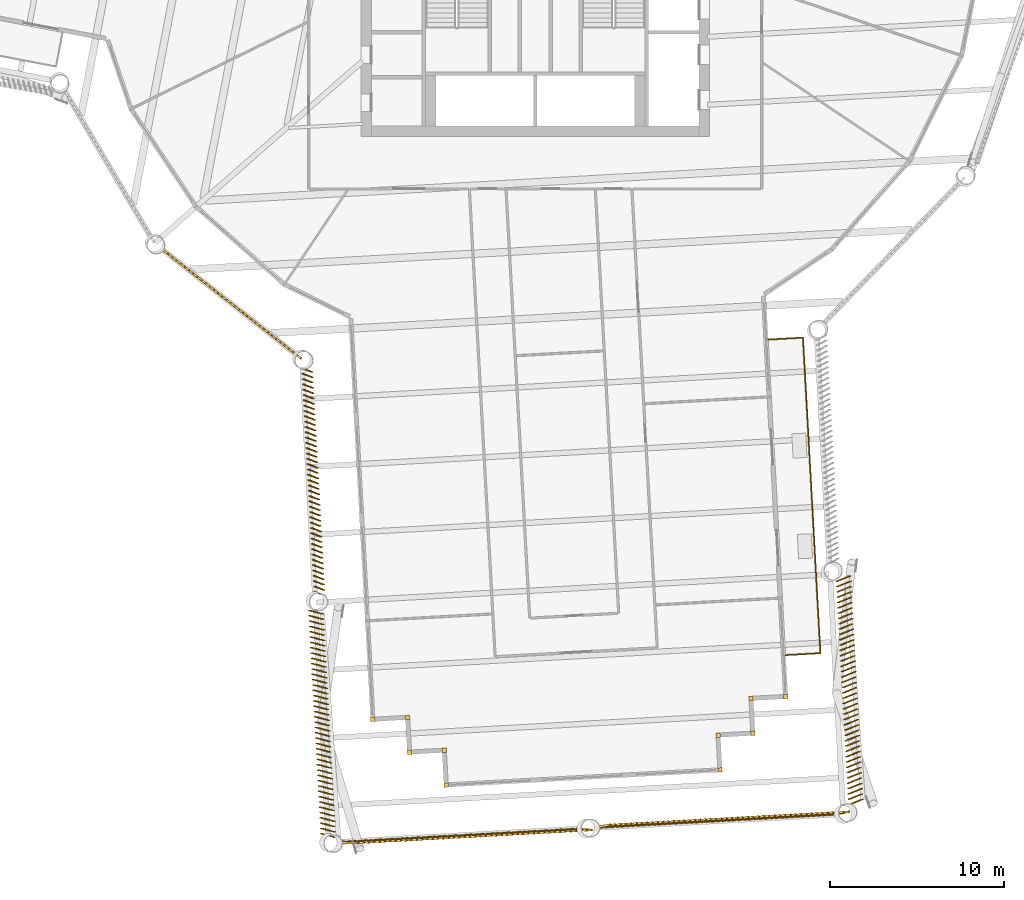
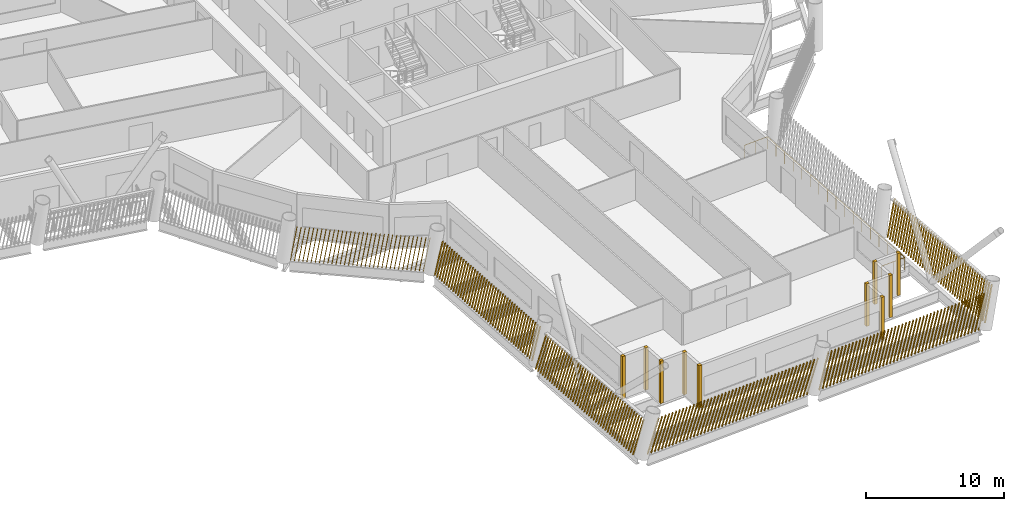
# One storey, part 19 of 23: 16 shading devices, 1 railing.
"""IFC4 building model written with IfcOpenShell, lengths in metres."""

from ifc_helpers import new_model, si_unit, direction, frame, frame_2d, origin, origin_2d, place, context, subcontext, project, spatial, rectangle, circle, composite_profile, extrude, material, type_object, element, save


model = new_model("IFC4")

# Units and contexts
model_context = context("Model", 3, precision=1e-05, world=origin(), true_north=direction((0.0, 1.0)))
body_context = subcontext(model_context, "Body", "Model", "MODEL_VIEW")
ifc_project = project(units=[si_unit("LENGTHUNIT", "METRE"), si_unit("AREAUNIT", "SQUARE_METRE"), si_unit("VOLUMEUNIT", "CUBIC_METRE"), si_unit("PLANEANGLEUNIT", "RADIAN"), si_unit("MASSUNIT", "GRAM", prefix="KILO")], contexts=[model_context])

# Site, building, storey
site_placement = place(None, origin())
site = spatial("IfcSite", under=ifc_project, at=site_placement, CompositionType="ELEMENT")
building_placement = place(site_placement, origin())
building = spatial("IfcBuilding", under=site, at=building_placement, Name="Tarsis Ring Headquarters", CompositionType="ELEMENT")
storey_placement = place(building_placement, frame((0.0, 0.0, 239.39990234375)))
storey = spatial("IfcBuildingStorey", under=building, at=storey_placement, Name="L56", CompositionType="ELEMENT", Elevation=239.39990234375)

# Railing
ifc_material_1 = material(Name="Stainless steel guard", Category="steel")
railing_type = type_object("IfcRailingType", Name="Balcony balustrade with mesh infill 1100", PredefinedType="BALUSTRADE", material=ifc_material_1)
railing_placement = place(storey_placement, frame((14.379638671875, -42.7724609375, 0.0)))
element("IfcRailing", 1, at=railing_placement, inside=storey, type_object=railing_type, Name="Balcony balustrade L56-16", PredefinedType="BALUSTRADE", context=body_context, shape_type="SweptSolid", body=[
    extrude(circle(Radius=0.030029296875, at=origin_2d()), frame((0.0, 0.0, 1.070068359375), z_axis=(0.998476834373, 0.055172558574, 0.0), x_axis=(-0.055172558574, 0.998476834373, 0.0)), (0.0, 0.0, 1.0), 2.0),
    extrude(circle(Radius=0.030029296875, at=origin_2d()), frame((1.9970703125, 0.1103515625, 1.070068359375), z_axis=(-0.055132560118, 0.998479043753, 0.0), x_axis=(-0.998479043753, -0.055132560118, 0.0)), (0.0, 0.0, 1.0), 18.1513671875),
    extrude(circle(Radius=0.030029296875, at=origin_2d()), frame((0.996337890625, 18.234130859375, 1.070068359375), z_axis=(-0.998476462744, -0.055179283673, 0.0), x_axis=(0.055179283673, -0.998476462744, 0.0)), (0.0, 0.0, 1.0), 1.999755859375),
    extrude(circle(Radius=0.02490234375, at=origin_2d()), origin(), (0.0, 0.0, 1.0), 1.0400390625),
    extrude(circle(Radius=0.02490234375, at=origin_2d()), frame((0.99853515625, 0.05517578125, 0.0)), (0.0, 0.0, 1.0), 1.0400390625),
    extrude(circle(Radius=0.02490234375, at=origin_2d()), frame((1.9970703125, 0.1103515625, 0.0)), (0.0, 0.0, 1.0), 1.0400390625),
    extrude(circle(Radius=0.02490234375, at=origin_2d()), frame((1.9345703125, 1.2431640625, 0.0)), (0.0, 0.0, 1.0), 1.0400390625),
    extrude(circle(Radius=0.02490234375, at=origin_2d()), frame((1.8720703125, 2.375732421875, 0.0)), (0.0, 0.0, 1.0), 1.0400390625),
    extrude(circle(Radius=0.02490234375, at=origin_2d()), frame((1.809326171875, 3.508544921875, 0.0)), (0.0, 0.0, 1.0), 1.0400390625),
    extrude(circle(Radius=0.02490234375, at=origin_2d()), frame((1.746826171875, 4.641357421875, 0.0)), (0.0, 0.0, 1.0), 1.0400390625),
    extrude(circle(Radius=0.02490234375, at=origin_2d()), frame((1.684326171875, 5.77392578125, 0.0)), (0.0, 0.0, 1.0), 1.0400390625),
    extrude(circle(Radius=0.02490234375, at=origin_2d()), frame((1.621826171875, 6.90673828125, 0.0)), (0.0, 0.0, 1.0), 1.0400390625),
    extrude(circle(Radius=0.02490234375, at=origin_2d()), frame((1.559326171875, 8.03955078125, 0.0)), (0.0, 0.0, 1.0), 1.0400390625),
    extrude(circle(Radius=0.02490234375, at=origin_2d()), frame((1.49658203125, 9.17236328125, 0.0)), (0.0, 0.0, 1.0), 1.0400390625),
    extrude(circle(Radius=0.02490234375, at=origin_2d()), frame((1.43408203125, 10.304931640625, 0.0)), (0.0, 0.0, 1.0), 1.0400390625),
    extrude(circle(Radius=0.02490234375, at=origin_2d()), frame((1.37158203125, 11.437744140625, 0.0)), (0.0, 0.0, 1.0), 1.0400390625),
    extrude(circle(Radius=0.02490234375, at=origin_2d()), frame((1.30908203125, 12.570556640625, 0.0)), (0.0, 0.0, 1.0), 1.0400390625),
    extrude(circle(Radius=0.02490234375, at=origin_2d()), frame((1.24658203125, 13.703125, 0.0)), (0.0, 0.0, 1.0), 1.0400390625),
    extrude(circle(Radius=0.02490234375, at=origin_2d()), frame((1.18408203125, 14.8359375, 0.0)), (0.0, 0.0, 1.0), 1.0400390625),
    extrude(circle(Radius=0.02490234375, at=origin_2d()), frame((1.121337890625, 15.96875, 0.0)), (0.0, 0.0, 1.0), 1.0400390625),
    extrude(circle(Radius=0.02490234375, at=origin_2d()), frame((1.058837890625, 17.101318359375, 0.0)), (0.0, 0.0, 1.0), 1.0400390625),
    extrude(circle(Radius=0.02490234375, at=origin_2d()), frame((0.996337890625, 18.234130859375, 0.0)), (0.0, 0.0, 1.0), 1.0400390625),
    extrude(circle(Radius=0.02490234375, at=origin_2d()), frame((-0.001953125, 18.178955078125, 0.0)), (0.0, 0.0, 1.0), 1.0400390625),
    extrude(circle(Radius=0.02490234375, at=origin_2d()), frame((-1.00048828125, 18.123779296875, 0.0)), (0.0, 0.0, 1.0), 1.0400390625),
])

# Shading devices
ifc_material_2 = material(Name="Terracotta baguette", Category="masonry")
shading_device_type_1 = type_object("IfcShadingDeviceType", Name="Terracotta baguette screen", PredefinedType="USERDEFINED", material=ifc_material_2)
shading_device_1_placement = place(storey_placement, frame((-21.476806640625, -19.427490234375, 0.0), z_axis=(0.0, 0.0, 1.0), x_axis=(0.786358525921, -0.617788881949, 0.0)))
element("IfcShadingDevice", 2, at=shading_device_1_placement, inside=storey, type_object=shading_device_type_1, Name="Baguette screen L56-00", ObjectType="Terracotta baguette screen", PredefinedType="USERDEFINED", context=body_context, shape_type="SweptSolid", body=[
    extrude(composite_profile([rectangle(XDim=0.06005859375, YDim=0.1201171875, at=frame_2d((0.030029296875, 0.0))), rectangle(XDim=0.06005859375, YDim=0.1201171875, at=frame_2d((0.33349609375, 0.0))), rectangle(XDim=0.06005859375, YDim=0.1201171875, at=frame_2d((0.636962890625, 0.0))), rectangle(XDim=0.06005859375, YDim=0.1201171875, at=frame_2d((0.9404296875, 0.0))), rectangle(XDim=0.06005859375, YDim=0.1201171875, at=frame_2d((1.243896484375, 0.0))), rectangle(XDim=0.06005859375, YDim=0.1201171875, at=frame_2d((1.54736328125, 0.0))), rectangle(XDim=0.06005859375, YDim=0.1201171875, at=frame_2d((1.85107421875, 0.0))), rectangle(XDim=0.06005859375, YDim=0.1201171875, at=frame_2d((2.154541015625, 0.0))), rectangle(XDim=0.06005859375, YDim=0.1201171875, at=frame_2d((2.4580078125, 0.0))), rectangle(XDim=0.06005859375, YDim=0.1201171875, at=frame_2d((2.761474609375, 0.0))), rectangle(XDim=0.06005859375, YDim=0.1201171875, at=frame_2d((3.06494140625, 0.0))), rectangle(XDim=0.06005859375, YDim=0.1201171875, at=frame_2d((3.368408203125, 0.0))), rectangle(XDim=0.06005859375, YDim=0.1201171875, at=frame_2d((3.671875, 0.0))), rectangle(XDim=0.06005859375, YDim=0.1201171875, at=frame_2d((3.975341796875, 0.0))), rectangle(XDim=0.06005859375, YDim=0.1201171875, at=frame_2d((4.27880859375, 0.0))), rectangle(XDim=0.06005859375, YDim=0.1201171875, at=frame_2d((4.582275390625, 0.0))), rectangle(XDim=0.06005859375, YDim=0.1201171875, at=frame_2d((4.8857421875, 0.0))), rectangle(XDim=0.06005859375, YDim=0.1201171875, at=frame_2d((5.189453125, 0.0))), rectangle(XDim=0.06005859375, YDim=0.1201171875, at=frame_2d((5.492919921875, 0.0))), rectangle(XDim=0.06005859375, YDim=0.1201171875, at=frame_2d((5.79638671875, 0.0))), rectangle(XDim=0.06005859375, YDim=0.1201171875, at=frame_2d((6.099853515625, 0.0))), rectangle(XDim=0.06005859375, YDim=0.1201171875, at=frame_2d((6.4033203125, 0.0))), rectangle(XDim=0.06005859375, YDim=0.1201171875, at=frame_2d((6.706787109375, 0.0))), rectangle(XDim=0.06005859375, YDim=0.1201171875, at=frame_2d((7.01025390625, 0.0))), rectangle(XDim=0.06005859375, YDim=0.1201171875, at=frame_2d((7.313720703125, 0.0))), rectangle(XDim=0.06005859375, YDim=0.1201171875, at=frame_2d((7.6171875, 0.0))), rectangle(XDim=0.06005859375, YDim=0.1201171875, at=frame_2d((7.920654296875, 0.0))), rectangle(XDim=0.06005859375, YDim=0.1201171875, at=frame_2d((8.224365234375, 0.0))), rectangle(XDim=0.06005859375, YDim=0.1201171875, at=frame_2d((8.52783203125, 0.0))), rectangle(XDim=0.06005859375, YDim=0.1201171875, at=frame_2d((8.831298828125, 0.0))), rectangle(XDim=0.06005859375, YDim=0.1201171875, at=frame_2d((9.134765625, 0.0))), rectangle(XDim=0.06005859375, YDim=0.1201171875, at=frame_2d((9.438232421875, 0.0))), rectangle(XDim=0.06005859375, YDim=0.1201171875, at=frame_2d((9.74169921875, 0.0)))]), origin(), (0.160021227806, 0.001338776763, 0.987112665468), 2.98876953125),
])
shading_device_2_placement = place(storey_placement, frame((-13.3720703125, -26.272705078125, 0.0), z_axis=(0.0, 0.0, 1.0), x_axis=(0.055121388158, -0.998486196, 0.0)))
element("IfcShadingDevice", 3, at=shading_device_2_placement, inside=storey, type_object=shading_device_type_1, Name="Baguette screen L56-01", ObjectType="Terracotta baguette screen", PredefinedType="USERDEFINED", context=body_context, shape_type="SweptSolid", body=[
    extrude(composite_profile([rectangle(XDim=0.06005859375, YDim=0.1201171875, at=frame_2d((0.030029296875, 0.0))), rectangle(XDim=0.06005859375, YDim=0.1201171875, at=frame_2d((0.335693359375, 0.0))), rectangle(XDim=0.06005859375, YDim=0.1201171875, at=frame_2d((0.6416015625, 0.0))), rectangle(XDim=0.06005859375, YDim=0.1201171875, at=frame_2d((0.947265625, 0.0))), rectangle(XDim=0.06005859375, YDim=0.1201171875, at=frame_2d((1.253173828125, 0.0))), rectangle(XDim=0.06005859375, YDim=0.1201171875, at=frame_2d((1.558837890625, 0.0))), rectangle(XDim=0.06005859375, YDim=0.1201171875, at=frame_2d((1.864501953125, 0.0))), rectangle(XDim=0.06005859375, YDim=0.1201171875, at=frame_2d((2.17041015625, 0.0))), rectangle(XDim=0.06005859375, YDim=0.1201171875, at=frame_2d((2.47607421875, 0.0))), rectangle(XDim=0.06005859375, YDim=0.1201171875, at=frame_2d((2.781982421875, 0.0))), rectangle(XDim=0.06005859375, YDim=0.1201171875, at=frame_2d((3.087646484375, 0.0))), rectangle(XDim=0.06005859375, YDim=0.1201171875, at=frame_2d((3.393310546875, 0.0))), rectangle(XDim=0.06005859375, YDim=0.1201171875, at=frame_2d((3.69921875, 0.0))), rectangle(XDim=0.06005859375, YDim=0.1201171875, at=frame_2d((4.0048828125, 0.0))), rectangle(XDim=0.06005859375, YDim=0.1201171875, at=frame_2d((4.310791015625, 0.0))), rectangle(XDim=0.06005859375, YDim=0.1201171875, at=frame_2d((4.616455078125, 0.0))), rectangle(XDim=0.06005859375, YDim=0.1201171875, at=frame_2d((4.922119140625, 0.0))), rectangle(XDim=0.06005859375, YDim=0.1201171875, at=frame_2d((5.22802734375, 0.0))), rectangle(XDim=0.06005859375, YDim=0.1201171875, at=frame_2d((5.53369140625, 0.0))), rectangle(XDim=0.06005859375, YDim=0.1201171875, at=frame_2d((5.839599609375, 0.0))), rectangle(XDim=0.06005859375, YDim=0.1201171875, at=frame_2d((6.145263671875, 0.0))), rectangle(XDim=0.06005859375, YDim=0.1201171875, at=frame_2d((6.451171875, 0.0))), rectangle(XDim=0.06005859375, YDim=0.1201171875, at=frame_2d((6.7568359375, 0.0))), rectangle(XDim=0.06005859375, YDim=0.1201171875, at=frame_2d((7.0625, 0.0))), rectangle(XDim=0.06005859375, YDim=0.1201171875, at=frame_2d((7.368408203125, 0.0))), rectangle(XDim=0.06005859375, YDim=0.1201171875, at=frame_2d((7.674072265625, 0.0))), rectangle(XDim=0.06005859375, YDim=0.1201171875, at=frame_2d((7.97998046875, 0.0))), rectangle(XDim=0.06005859375, YDim=0.1201171875, at=frame_2d((8.28564453125, 0.0))), rectangle(XDim=0.06005859375, YDim=0.1201171875, at=frame_2d((8.59130859375, 0.0))), rectangle(XDim=0.06005859375, YDim=0.1201171875, at=frame_2d((8.897216796875, 0.0))), rectangle(XDim=0.06005859375, YDim=0.1201171875, at=frame_2d((9.202880859375, 0.0))), rectangle(XDim=0.06005859375, YDim=0.1201171875, at=frame_2d((9.5087890625, 0.0))), rectangle(XDim=0.06005859375, YDim=0.1201171875, at=frame_2d((9.814453125, 0.0))), rectangle(XDim=0.06005859375, YDim=0.1201171875, at=frame_2d((10.1201171875, 0.0))), rectangle(XDim=0.06005859375, YDim=0.1201171875, at=frame_2d((10.426025390625, 0.0))), rectangle(XDim=0.06005859375, YDim=0.1201171875, at=frame_2d((10.731689453125, 0.0))), rectangle(XDim=0.06005859375, YDim=0.1201171875, at=frame_2d((11.03759765625, 0.0))), rectangle(XDim=0.06005859375, YDim=0.1201171875, at=frame_2d((11.34326171875, 0.0))), rectangle(XDim=0.06005859375, YDim=0.1201171875, at=frame_2d((11.64892578125, 0.0))), rectangle(XDim=0.06005859375, YDim=0.1201171875, at=frame_2d((11.954833984375, 0.0))), rectangle(XDim=0.06005859375, YDim=0.1201171875, at=frame_2d((12.260498046875, 0.0))), rectangle(XDim=0.06005859375, YDim=0.1201171875, at=frame_2d((12.56640625, 0.0))), rectangle(XDim=0.06005859375, YDim=0.1201171875, at=frame_2d((12.8720703125, 0.0)))]), origin(), (0.080928289218, 0.178597395983, 0.980588385691), 3.008544921875),
])
shading_device_3_placement = place(storey_placement, frame((-12.980224609375, -40.17431640625, 0.0), z_axis=(0.0, 0.0, 1.0), x_axis=(0.055140310708, -0.998486196, 0.0)))
element("IfcShadingDevice", 4, at=shading_device_3_placement, inside=storey, type_object=shading_device_type_1, Name="Baguette screen L56-02", ObjectType="Terracotta baguette screen", PredefinedType="USERDEFINED", context=body_context, shape_type="SweptSolid", body=[
    extrude(composite_profile([rectangle(XDim=0.06005859375, YDim=0.1201171875, at=frame_2d((0.030029296875, 0.0))), rectangle(XDim=0.06005859375, YDim=0.1201171875, at=frame_2d((0.335693359375, 0.0))), rectangle(XDim=0.06005859375, YDim=0.1201171875, at=frame_2d((0.6416015625, 0.0))), rectangle(XDim=0.06005859375, YDim=0.1201171875, at=frame_2d((0.947265625, 0.0))), rectangle(XDim=0.06005859375, YDim=0.1201171875, at=frame_2d((1.253173828125, 0.0))), rectangle(XDim=0.06005859375, YDim=0.1201171875, at=frame_2d((1.558837890625, 0.0))), rectangle(XDim=0.06005859375, YDim=0.1201171875, at=frame_2d((1.864501953125, 0.0))), rectangle(XDim=0.06005859375, YDim=0.1201171875, at=frame_2d((2.17041015625, 0.0))), rectangle(XDim=0.06005859375, YDim=0.1201171875, at=frame_2d((2.47607421875, 0.0))), rectangle(XDim=0.06005859375, YDim=0.1201171875, at=frame_2d((2.781982421875, 0.0))), rectangle(XDim=0.06005859375, YDim=0.1201171875, at=frame_2d((3.087646484375, 0.0))), rectangle(XDim=0.06005859375, YDim=0.1201171875, at=frame_2d((3.393310546875, 0.0))), rectangle(XDim=0.06005859375, YDim=0.1201171875, at=frame_2d((3.69921875, 0.0))), rectangle(XDim=0.06005859375, YDim=0.1201171875, at=frame_2d((4.0048828125, 0.0))), rectangle(XDim=0.06005859375, YDim=0.1201171875, at=frame_2d((4.310791015625, 0.0))), rectangle(XDim=0.06005859375, YDim=0.1201171875, at=frame_2d((4.616455078125, 0.0))), rectangle(XDim=0.06005859375, YDim=0.1201171875, at=frame_2d((4.922119140625, 0.0))), rectangle(XDim=0.06005859375, YDim=0.1201171875, at=frame_2d((5.22802734375, 0.0))), rectangle(XDim=0.06005859375, YDim=0.1201171875, at=frame_2d((5.53369140625, 0.0))), rectangle(XDim=0.06005859375, YDim=0.1201171875, at=frame_2d((5.839599609375, 0.0))), rectangle(XDim=0.06005859375, YDim=0.1201171875, at=frame_2d((6.145263671875, 0.0))), rectangle(XDim=0.06005859375, YDim=0.1201171875, at=frame_2d((6.451171875, 0.0))), rectangle(XDim=0.06005859375, YDim=0.1201171875, at=frame_2d((6.7568359375, 0.0))), rectangle(XDim=0.06005859375, YDim=0.1201171875, at=frame_2d((7.0625, 0.0))), rectangle(XDim=0.06005859375, YDim=0.1201171875, at=frame_2d((7.368408203125, 0.0))), rectangle(XDim=0.06005859375, YDim=0.1201171875, at=frame_2d((7.674072265625, 0.0))), rectangle(XDim=0.06005859375, YDim=0.1201171875, at=frame_2d((7.97998046875, 0.0))), rectangle(XDim=0.06005859375, YDim=0.1201171875, at=frame_2d((8.28564453125, 0.0))), rectangle(XDim=0.06005859375, YDim=0.1201171875, at=frame_2d((8.59130859375, 0.0))), rectangle(XDim=0.06005859375, YDim=0.1201171875, at=frame_2d((8.897216796875, 0.0))), rectangle(XDim=0.06005859375, YDim=0.1201171875, at=frame_2d((9.202880859375, 0.0))), rectangle(XDim=0.06005859375, YDim=0.1201171875, at=frame_2d((9.5087890625, 0.0))), rectangle(XDim=0.06005859375, YDim=0.1201171875, at=frame_2d((9.814453125, 0.0))), rectangle(XDim=0.06005859375, YDim=0.1201171875, at=frame_2d((10.1201171875, 0.0))), rectangle(XDim=0.06005859375, YDim=0.1201171875, at=frame_2d((10.426025390625, 0.0))), rectangle(XDim=0.06005859375, YDim=0.1201171875, at=frame_2d((10.731689453125, 0.0))), rectangle(XDim=0.06005859375, YDim=0.1201171875, at=frame_2d((11.03759765625, 0.0))), rectangle(XDim=0.06005859375, YDim=0.1201171875, at=frame_2d((11.34326171875, 0.0))), rectangle(XDim=0.06005859375, YDim=0.1201171875, at=frame_2d((11.64892578125, 0.0))), rectangle(XDim=0.06005859375, YDim=0.1201171875, at=frame_2d((11.954833984375, 0.0))), rectangle(XDim=0.06005859375, YDim=0.1201171875, at=frame_2d((12.260498046875, 0.0))), rectangle(XDim=0.06005859375, YDim=0.1201171875, at=frame_2d((12.56640625, 0.0))), rectangle(XDim=0.06005859375, YDim=0.1201171875, at=frame_2d((12.8720703125, 0.0)))]), origin(), (0.081011216015, 0.25180205267, 0.964382138548), 3.05908203125),
])
shading_device_4_placement = place(storey_placement, frame((-11.36767578125, -53.508056640625, 0.0), z_axis=(0.0, 0.0, 1.0), x_axis=(0.998478549314, 0.05512605042, 0.0)))
element("IfcShadingDevice", 5, at=shading_device_4_placement, inside=storey, type_object=shading_device_type_1, Name="Baguette screen L56-03", ObjectType="Terracotta baguette screen", PredefinedType="USERDEFINED", context=body_context, shape_type="SweptSolid", body=[
    extrude(composite_profile([rectangle(XDim=0.06005859375, YDim=0.1201171875, at=frame_2d((0.030029296875, 0.0))), rectangle(XDim=0.06005859375, YDim=0.1201171875, at=frame_2d((0.33544921875, 0.0))), rectangle(XDim=0.06005859375, YDim=0.1201171875, at=frame_2d((0.640625, 0.0))), rectangle(XDim=0.06005859375, YDim=0.1201171875, at=frame_2d((0.946044921875, 0.0))), rectangle(XDim=0.06005859375, YDim=0.1201171875, at=frame_2d((1.25146484375, 0.0))), rectangle(XDim=0.06005859375, YDim=0.1201171875, at=frame_2d((1.556640625, 0.0))), rectangle(XDim=0.06005859375, YDim=0.1201171875, at=frame_2d((1.862060546875, 0.0))), rectangle(XDim=0.06005859375, YDim=0.1201171875, at=frame_2d((2.16748046875, 0.0))), rectangle(XDim=0.06005859375, YDim=0.1201171875, at=frame_2d((2.47265625, 0.0))), rectangle(XDim=0.06005859375, YDim=0.1201171875, at=frame_2d((2.778076171875, 0.0))), rectangle(XDim=0.06005859375, YDim=0.1201171875, at=frame_2d((3.08349609375, 0.0))), rectangle(XDim=0.06005859375, YDim=0.1201171875, at=frame_2d((3.388671875, 0.0))), rectangle(XDim=0.06005859375, YDim=0.1201171875, at=frame_2d((3.694091796875, 0.0))), rectangle(XDim=0.06005859375, YDim=0.1201171875, at=frame_2d((3.99951171875, 0.0))), rectangle(XDim=0.06005859375, YDim=0.1201171875, at=frame_2d((4.3046875, 0.0))), rectangle(XDim=0.06005859375, YDim=0.1201171875, at=frame_2d((4.610107421875, 0.0))), rectangle(XDim=0.06005859375, YDim=0.1201171875, at=frame_2d((4.91552734375, 0.0))), rectangle(XDim=0.06005859375, YDim=0.1201171875, at=frame_2d((5.220703125, 0.0))), rectangle(XDim=0.06005859375, YDim=0.1201171875, at=frame_2d((5.526123046875, 0.0))), rectangle(XDim=0.06005859375, YDim=0.1201171875, at=frame_2d((5.83154296875, 0.0))), rectangle(XDim=0.06005859375, YDim=0.1201171875, at=frame_2d((6.13671875, 0.0))), rectangle(XDim=0.06005859375, YDim=0.1201171875, at=frame_2d((6.442138671875, 0.0))), rectangle(XDim=0.06005859375, YDim=0.1201171875, at=frame_2d((6.74755859375, 0.0))), rectangle(XDim=0.06005859375, YDim=0.1201171875, at=frame_2d((7.052734375, 0.0))), rectangle(XDim=0.06005859375, YDim=0.1201171875, at=frame_2d((7.358154296875, 0.0))), rectangle(XDim=0.06005859375, YDim=0.1201171875, at=frame_2d((7.66357421875, 0.0))), rectangle(XDim=0.06005859375, YDim=0.1201171875, at=frame_2d((7.96875, 0.0))), rectangle(XDim=0.06005859375, YDim=0.1201171875, at=frame_2d((8.274169921875, 0.0))), rectangle(XDim=0.06005859375, YDim=0.1201171875, at=frame_2d((8.57958984375, 0.0))), rectangle(XDim=0.06005859375, YDim=0.1201171875, at=frame_2d((8.884765625, 0.0))), rectangle(XDim=0.06005859375, YDim=0.1201171875, at=frame_2d((9.190185546875, 0.0))), rectangle(XDim=0.06005859375, YDim=0.1201171875, at=frame_2d((9.49560546875, 0.0))), rectangle(XDim=0.06005859375, YDim=0.1201171875, at=frame_2d((9.80078125, 0.0))), rectangle(XDim=0.06005859375, YDim=0.1201171875, at=frame_2d((10.106201171875, 0.0))), rectangle(XDim=0.06005859375, YDim=0.1201171875, at=frame_2d((10.41162109375, 0.0))), rectangle(XDim=0.06005859375, YDim=0.1201171875, at=frame_2d((10.716796875, 0.0))), rectangle(XDim=0.06005859375, YDim=0.1201171875, at=frame_2d((11.022216796875, 0.0))), rectangle(XDim=0.06005859375, YDim=0.1201171875, at=frame_2d((11.32763671875, 0.0))), rectangle(XDim=0.06005859375, YDim=0.1201171875, at=frame_2d((11.6328125, 0.0))), rectangle(XDim=0.06005859375, YDim=0.1201171875, at=frame_2d((11.938232421875, 0.0))), rectangle(XDim=0.06005859375, YDim=0.1201171875, at=frame_2d((12.24365234375, 0.0))), rectangle(XDim=0.06005859375, YDim=0.1201171875, at=frame_2d((12.548828125, 0.0))), rectangle(XDim=0.06005859375, YDim=0.1201171875, at=frame_2d((12.854248046875, 0.0))), rectangle(XDim=0.06005859375, YDim=0.1201171875, at=frame_2d((13.15966796875, 0.0))), rectangle(XDim=0.06005859375, YDim=0.1201171875, at=frame_2d((13.46484375, 0.0))), rectangle(XDim=0.06005859375, YDim=0.1201171875, at=frame_2d((13.770263671875, 0.0)))]), origin(), (0.287323937641, -0.037817881764, 0.957086601451), 3.08251953125),
])
shading_device_5_placement = place(storey_placement, frame((3.409912109375, -52.692138671875, 0.0), z_axis=(0.0, 0.0, 1.0), x_axis=(0.998478522398, 0.055127025688, 0.0)))
element("IfcShadingDevice", 6, at=shading_device_5_placement, inside=storey, type_object=shading_device_type_1, Name="Baguette screen L56-04", ObjectType="Terracotta baguette screen", PredefinedType="USERDEFINED", context=body_context, shape_type="SweptSolid", body=[
    extrude(composite_profile([rectangle(XDim=0.06005859375, YDim=0.1201171875, at=frame_2d((0.030029296875, 0.0))), rectangle(XDim=0.06005859375, YDim=0.1201171875, at=frame_2d((0.33544921875, 0.0))), rectangle(XDim=0.06005859375, YDim=0.1201171875, at=frame_2d((0.640625, 0.0))), rectangle(XDim=0.06005859375, YDim=0.1201171875, at=frame_2d((0.946044921875, 0.0))), rectangle(XDim=0.06005859375, YDim=0.1201171875, at=frame_2d((1.25146484375, 0.0))), rectangle(XDim=0.06005859375, YDim=0.1201171875, at=frame_2d((1.556640625, 0.0))), rectangle(XDim=0.06005859375, YDim=0.1201171875, at=frame_2d((1.862060546875, 0.0))), rectangle(XDim=0.06005859375, YDim=0.1201171875, at=frame_2d((2.16748046875, 0.0))), rectangle(XDim=0.06005859375, YDim=0.1201171875, at=frame_2d((2.47265625, 0.0))), rectangle(XDim=0.06005859375, YDim=0.1201171875, at=frame_2d((2.778076171875, 0.0))), rectangle(XDim=0.06005859375, YDim=0.1201171875, at=frame_2d((3.08349609375, 0.0))), rectangle(XDim=0.06005859375, YDim=0.1201171875, at=frame_2d((3.388671875, 0.0))), rectangle(XDim=0.06005859375, YDim=0.1201171875, at=frame_2d((3.694091796875, 0.0))), rectangle(XDim=0.06005859375, YDim=0.1201171875, at=frame_2d((3.99951171875, 0.0))), rectangle(XDim=0.06005859375, YDim=0.1201171875, at=frame_2d((4.3046875, 0.0))), rectangle(XDim=0.06005859375, YDim=0.1201171875, at=frame_2d((4.610107421875, 0.0))), rectangle(XDim=0.06005859375, YDim=0.1201171875, at=frame_2d((4.91552734375, 0.0))), rectangle(XDim=0.06005859375, YDim=0.1201171875, at=frame_2d((5.220703125, 0.0))), rectangle(XDim=0.06005859375, YDim=0.1201171875, at=frame_2d((5.526123046875, 0.0))), rectangle(XDim=0.06005859375, YDim=0.1201171875, at=frame_2d((5.83154296875, 0.0))), rectangle(XDim=0.06005859375, YDim=0.1201171875, at=frame_2d((6.13671875, 0.0))), rectangle(XDim=0.06005859375, YDim=0.1201171875, at=frame_2d((6.442138671875, 0.0))), rectangle(XDim=0.06005859375, YDim=0.1201171875, at=frame_2d((6.74755859375, 0.0))), rectangle(XDim=0.06005859375, YDim=0.1201171875, at=frame_2d((7.052734375, 0.0))), rectangle(XDim=0.06005859375, YDim=0.1201171875, at=frame_2d((7.358154296875, 0.0))), rectangle(XDim=0.06005859375, YDim=0.1201171875, at=frame_2d((7.66357421875, 0.0))), rectangle(XDim=0.06005859375, YDim=0.1201171875, at=frame_2d((7.96875, 0.0))), rectangle(XDim=0.06005859375, YDim=0.1201171875, at=frame_2d((8.274169921875, 0.0))), rectangle(XDim=0.06005859375, YDim=0.1201171875, at=frame_2d((8.57958984375, 0.0))), rectangle(XDim=0.06005859375, YDim=0.1201171875, at=frame_2d((8.884765625, 0.0))), rectangle(XDim=0.06005859375, YDim=0.1201171875, at=frame_2d((9.190185546875, 0.0))), rectangle(XDim=0.06005859375, YDim=0.1201171875, at=frame_2d((9.49560546875, 0.0))), rectangle(XDim=0.06005859375, YDim=0.1201171875, at=frame_2d((9.80078125, 0.0))), rectangle(XDim=0.06005859375, YDim=0.1201171875, at=frame_2d((10.106201171875, 0.0))), rectangle(XDim=0.06005859375, YDim=0.1201171875, at=frame_2d((10.41162109375, 0.0))), rectangle(XDim=0.06005859375, YDim=0.1201171875, at=frame_2d((10.716796875, 0.0))), rectangle(XDim=0.06005859375, YDim=0.1201171875, at=frame_2d((11.022216796875, 0.0))), rectangle(XDim=0.06005859375, YDim=0.1201171875, at=frame_2d((11.32763671875, 0.0))), rectangle(XDim=0.06005859375, YDim=0.1201171875, at=frame_2d((11.6328125, 0.0))), rectangle(XDim=0.06005859375, YDim=0.1201171875, at=frame_2d((11.938232421875, 0.0))), rectangle(XDim=0.06005859375, YDim=0.1201171875, at=frame_2d((12.24365234375, 0.0))), rectangle(XDim=0.06005859375, YDim=0.1201171875, at=frame_2d((12.548828125, 0.0))), rectangle(XDim=0.06005859375, YDim=0.1201171875, at=frame_2d((12.854248046875, 0.0))), rectangle(XDim=0.06005859375, YDim=0.1201171875, at=frame_2d((13.15966796875, 0.0))), rectangle(XDim=0.06005859375, YDim=0.1201171875, at=frame_2d((13.46484375, 0.0))), rectangle(XDim=0.06005859375, YDim=0.1201171875, at=frame_2d((13.770263671875, 0.0)))]), origin(), (0.286650227634, 0.042625103093, 0.957086593566), 3.08251953125),
])
shading_device_6_placement = place(storey_placement, frame((18.034912109375, -51.384033203125, 0.0), z_axis=(0.0, 0.0, 1.0), x_axis=(-0.055121388158, 0.998486196, 0.0)))
element("IfcShadingDevice", 7, at=shading_device_6_placement, inside=storey, type_object=shading_device_type_1, Name="Baguette screen L56-05", ObjectType="Terracotta baguette screen", PredefinedType="USERDEFINED", context=body_context, shape_type="SweptSolid", body=[
    extrude(composite_profile([rectangle(XDim=0.06005859375, YDim=0.1201171875, at=frame_2d((0.030029296875, 0.0))), rectangle(XDim=0.06005859375, YDim=0.1201171875, at=frame_2d((0.335693359375, 0.0))), rectangle(XDim=0.06005859375, YDim=0.1201171875, at=frame_2d((0.6416015625, 0.0))), rectangle(XDim=0.06005859375, YDim=0.1201171875, at=frame_2d((0.947265625, 0.0))), rectangle(XDim=0.06005859375, YDim=0.1201171875, at=frame_2d((1.253173828125, 0.0))), rectangle(XDim=0.06005859375, YDim=0.1201171875, at=frame_2d((1.558837890625, 0.0))), rectangle(XDim=0.06005859375, YDim=0.1201171875, at=frame_2d((1.864501953125, 0.0))), rectangle(XDim=0.06005859375, YDim=0.1201171875, at=frame_2d((2.17041015625, 0.0))), rectangle(XDim=0.06005859375, YDim=0.1201171875, at=frame_2d((2.47607421875, 0.0))), rectangle(XDim=0.06005859375, YDim=0.1201171875, at=frame_2d((2.781982421875, 0.0))), rectangle(XDim=0.06005859375, YDim=0.1201171875, at=frame_2d((3.087646484375, 0.0))), rectangle(XDim=0.06005859375, YDim=0.1201171875, at=frame_2d((3.393310546875, 0.0))), rectangle(XDim=0.06005859375, YDim=0.1201171875, at=frame_2d((3.69921875, 0.0))), rectangle(XDim=0.06005859375, YDim=0.1201171875, at=frame_2d((4.0048828125, 0.0))), rectangle(XDim=0.06005859375, YDim=0.1201171875, at=frame_2d((4.310791015625, 0.0))), rectangle(XDim=0.06005859375, YDim=0.1201171875, at=frame_2d((4.616455078125, 0.0))), rectangle(XDim=0.06005859375, YDim=0.1201171875, at=frame_2d((4.922119140625, 0.0))), rectangle(XDim=0.06005859375, YDim=0.1201171875, at=frame_2d((5.22802734375, 0.0))), rectangle(XDim=0.06005859375, YDim=0.1201171875, at=frame_2d((5.53369140625, 0.0))), rectangle(XDim=0.06005859375, YDim=0.1201171875, at=frame_2d((5.839599609375, 0.0))), rectangle(XDim=0.06005859375, YDim=0.1201171875, at=frame_2d((6.145263671875, 0.0))), rectangle(XDim=0.06005859375, YDim=0.1201171875, at=frame_2d((6.451171875, 0.0))), rectangle(XDim=0.06005859375, YDim=0.1201171875, at=frame_2d((6.7568359375, 0.0))), rectangle(XDim=0.06005859375, YDim=0.1201171875, at=frame_2d((7.0625, 0.0))), rectangle(XDim=0.06005859375, YDim=0.1201171875, at=frame_2d((7.368408203125, 0.0))), rectangle(XDim=0.06005859375, YDim=0.1201171875, at=frame_2d((7.674072265625, 0.0))), rectangle(XDim=0.06005859375, YDim=0.1201171875, at=frame_2d((7.97998046875, 0.0))), rectangle(XDim=0.06005859375, YDim=0.1201171875, at=frame_2d((8.28564453125, 0.0))), rectangle(XDim=0.06005859375, YDim=0.1201171875, at=frame_2d((8.59130859375, 0.0))), rectangle(XDim=0.06005859375, YDim=0.1201171875, at=frame_2d((8.897216796875, 0.0))), rectangle(XDim=0.06005859375, YDim=0.1201171875, at=frame_2d((9.202880859375, 0.0))), rectangle(XDim=0.06005859375, YDim=0.1201171875, at=frame_2d((9.5087890625, 0.0))), rectangle(XDim=0.06005859375, YDim=0.1201171875, at=frame_2d((9.814453125, 0.0))), rectangle(XDim=0.06005859375, YDim=0.1201171875, at=frame_2d((10.1201171875, 0.0))), rectangle(XDim=0.06005859375, YDim=0.1201171875, at=frame_2d((10.426025390625, 0.0))), rectangle(XDim=0.06005859375, YDim=0.1201171875, at=frame_2d((10.731689453125, 0.0))), rectangle(XDim=0.06005859375, YDim=0.1201171875, at=frame_2d((11.03759765625, 0.0))), rectangle(XDim=0.06005859375, YDim=0.1201171875, at=frame_2d((11.34326171875, 0.0))), rectangle(XDim=0.06005859375, YDim=0.1201171875, at=frame_2d((11.64892578125, 0.0))), rectangle(XDim=0.06005859375, YDim=0.1201171875, at=frame_2d((11.954833984375, 0.0))), rectangle(XDim=0.06005859375, YDim=0.1201171875, at=frame_2d((12.260498046875, 0.0))), rectangle(XDim=0.06005859375, YDim=0.1201171875, at=frame_2d((12.56640625, 0.0))), rectangle(XDim=0.06005859375, YDim=0.1201171875, at=frame_2d((12.8720703125, 0.0)))]), origin(), (0.08521540057, -0.250410229887, 0.964382212753), 3.05908203125),
])
shading_device_type_2 = type_object("IfcShadingDeviceType", Name="Terracotta corner baguette 250x250", PredefinedType="USERDEFINED", material=ifc_material_2)
for number, where, z_axis, x_axis, name in (
    (8, (-9.328125, -46.4599609375, 0.0), (0.0, 0.0, 1.0), (0.055124465724, -0.998479490665, 0.0), "Corner baguette L56-07"),
    (9, (-7.3310546875, -46.349609375, 0.0), (0.0, 0.0, 1.0), (0.998479488741, 0.055124500578, 0.0), "Corner baguette L56-08"),
    (10, (-7.220947265625, -48.3466796875, 0.0), (0.0, 0.0, 1.0), (0.055124500578, -0.998479488741, 0.0), "Corner baguette L56-09"),
    (11, (-5.223876953125, -48.236328125, 0.0), (0.0, 0.0, 1.0), (0.998479486817, 0.055124535431, 0.0), "Corner baguette L56-10"),
    (12, (-5.11376953125, -50.233154296875, 0.0), (0.0, 0.0, 1.0), (0.055124500578, -0.998479488741, 0.0), "Corner baguette L56-11"),
    (13, (10.6123046875, -49.364990234375, 0.0), (0.0, 0.0, 1.0), (0.998479492589, 0.055124430871, 0.0), "Corner baguette L56-12"),
    (14, (10.502197265625, -47.3681640625, 0.0), (0.0, 0.0, 1.0), (-0.055124500578, 0.998479488741, 0.0), "Corner baguette L56-13"),
    (15, (12.4990234375, -47.2578125, 0.0), (0.0, 0.0, 1.0), (0.998479490665, 0.055124465724, 0.0), "Corner baguette L56-14"),
    (16, (12.388916015625, -45.260986328125, 0.0), (0.0, 0.0, 1.0), (-0.055124500578, 0.998479488741, 0.0), "Corner baguette L56-15"),
    (17, (14.3857421875, -45.150634765625, 0.0), (0.0, 0.0, 1.0), (0.998479486817, 0.055124535431, 0.0), "Corner baguette L56-16"),
):
    element("IfcShadingDevice", number, at=place(storey_placement, frame(where, z_axis=z_axis, x_axis=x_axis)), inside=storey, type_object=shading_device_type_2, Name=name, ObjectType="Terracotta corner baguette", PredefinedType="USERDEFINED", context=body_context, shape_type="SweptSolid", body=[
        extrude(rectangle(XDim=0.25, YDim=0.25, at=origin_2d()), origin(), (0.0, 0.0, 1.0), 3.739990234375),
    ])

save(model, "model.ifc")
